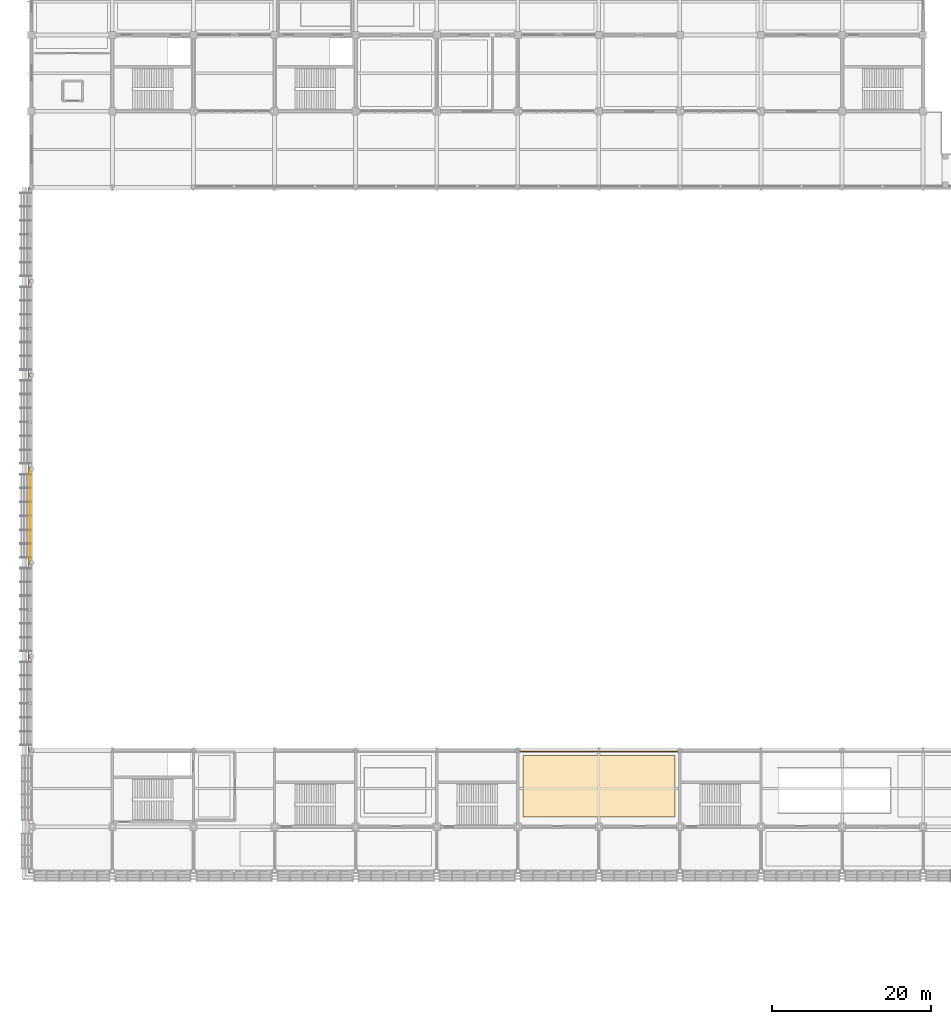
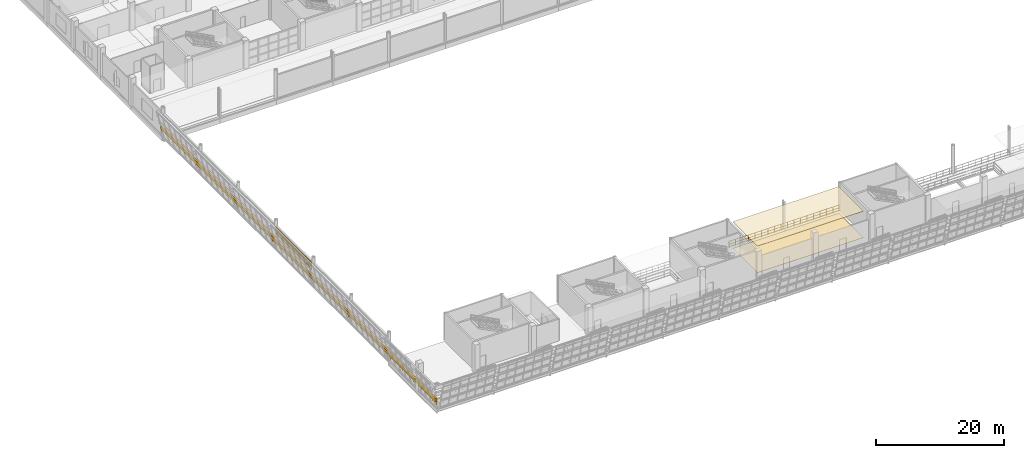
# One storey, part 154 of 175: 5 coverings, 2 railings.
"""IFC4 building model written with IfcOpenShell, lengths in metres."""

from ifc_helpers import new_model, si_unit, direction, frame, origin, origin_2d, place, context, subcontext, project, spatial, polyline, rectangle, circle, outline, extrude, material, layer, layer_set, type_object, element, save


model = new_model("IFC4")

# Units and contexts
model_context = context("Model", 3, precision=1e-05, world=origin(), true_north=direction((0.0, 1.0)))
body_context = subcontext(model_context, "Body", "Model", "MODEL_VIEW")
ifc_project = project(units=[si_unit("LENGTHUNIT", "METRE"), si_unit("AREAUNIT", "SQUARE_METRE"), si_unit("VOLUMEUNIT", "CUBIC_METRE"), si_unit("PLANEANGLEUNIT", "RADIAN"), si_unit("MASSUNIT", "GRAM", prefix="KILO")], contexts=[model_context])

# Site, building, storey
site_placement = place(None, origin())
site = spatial("IfcSite", under=ifc_project, at=site_placement, CompositionType="ELEMENT")
building_placement = place(site_placement, origin())
building = spatial("IfcBuilding", under=site, at=building_placement, Name="Brelvane Convention Centre", CompositionType="ELEMENT")
storey_placement = place(building_placement, frame((0.0, 0.0, 5.39990234375)))
storey = spatial("IfcBuildingStorey", under=building, at=storey_placement, Name="L01", CompositionType="ELEMENT", Elevation=5.39990234375)

# Coverings
ifc_material_1 = material(Name="Patinated Copper-Bronze Alloy C22000")
ifc_layer_1 = layer(ifc_material_1, 0.044921875)
ifc_layer_set_1 = layer_set([ifc_layer_1], Name="Patinated Copper-Bronze Alloy C22000")
covering_type_1 = type_object("IfcCoveringType", Name="Envelope Covering CL-CU1", PredefinedType="CLADDING", material=ifc_layer_set_1)
covering_1_placement = place(storey_placement, frame((0.0, 0.0, 3.77001953125)))
element("IfcCovering", 1, at=covering_1_placement, inside=storey, type_object=covering_type_1, Name="Copper-Bronze Hull Band L01-V1W-L01-3-1", PredefinedType="CLADDING", context=body_context, shape_type="SweptSolid", body=[
    extrude(outline(polyline([(-0.14111328125, 52.639892578125), (-0.14111328125, 63.9599609375), (-0.18603515625, 63.9599609375), (-0.18603515625, 52.639892578125), (-0.14111328125, 52.639892578125)])), origin(), (0.0, 0.0, 1.0), 0.380126953125),
])
ifc_material_2 = material(Name="Patinated Copper-Bronze Alloy C22000")
ifc_layer_2 = layer(ifc_material_2, 0.054931640625)
ifc_layer_set_2 = layer_set([ifc_layer_2], Name="Patinated Copper-Bronze Alloy C22000")
covering_type_2 = type_object("IfcCoveringType", Name="Envelope Covering CL-CU2", PredefinedType="CLADDING", material=ifc_layer_set_2)
covering_2_placement = place(storey_placement, frame((0.0, 0.0, 3.22021484375)))
element("IfcCovering", 2, at=covering_2_placement, inside=storey, type_object=covering_type_2, Name="Copper-Bronze Hull Band L01-V1W-L01-3-2", PredefinedType="CLADDING", context=body_context, shape_type="SweptSolid", body=[
    extrude(outline(polyline([(-0.14111328125, 52.639892578125), (-0.14111328125, 63.9599609375), (-0.196044921875, 63.9599609375), (-0.196044921875, 52.639892578125), (-0.14111328125, 52.639892578125)])), origin(), (0.0, 0.0, 1.0), 0.3798828125),
])
ifc_material_3 = material(Name="Patinated Copper-Bronze Alloy C22000")
ifc_layer_3 = layer(ifc_material_3, 0.06494140625)
ifc_layer_set_3 = layer_set([ifc_layer_3], Name="Patinated Copper-Bronze Alloy C22000")
covering_type_3 = type_object("IfcCoveringType", Name="Envelope Covering CL-CU3", PredefinedType="CLADDING", material=ifc_layer_set_3)
covering_3_placement = place(storey_placement, frame((0.0, 0.0, 2.670166015625)))
element("IfcCovering", 3, at=covering_3_placement, inside=storey, type_object=covering_type_3, Name="Copper-Bronze Hull Band L01-V1W-L01-3-3", PredefinedType="CLADDING", context=body_context, shape_type="SweptSolid", body=[
    extrude(outline(polyline([(-0.14111328125, 52.639892578125), (-0.14111328125, 63.9599609375), (-0.2060546875, 63.9599609375), (-0.2060546875, 52.639892578125), (-0.14111328125, 52.639892578125)])), origin(), (0.0, 0.0, 1.0), 0.3798828125),
])
ifc_material_4 = material(Name="Perforated Anodised Aluminium Alloy 6063 Acoustic Baffle", Category="aluminium")
ifc_layer_4 = layer(ifc_material_4, 0.090087890625)
ifc_layer_set_4 = layer_set([ifc_layer_4], Name="Perforated Anodised Aluminium Alloy 6063 Acoustic Baffle")
covering_type_4 = type_object("IfcCoveringType", Name="Interior Finish CL-BAF-90", PredefinedType="CEILING", material=ifc_layer_set_4)
covering_4_placement = place(storey_placement, frame((0.0, 0.0, 5.030029296875)))
element("IfcCovering", 4, at=covering_4_placement, inside=storey, type_object=covering_type_4, Name="Exhibition Overlook Gallery Central Acoustic Ceiling (CL-BAF-90)", PredefinedType="CEILING", context=body_context, shape_type="SweptSolid", body=[
    extrude(outline(polyline([(61.830078125, 20.429931640625), (80.969970703125, 20.429931640625), (80.969970703125, 28.169921875), (61.830078125, 28.169921875), (61.830078125, 20.429931640625)])), origin(), (0.0, 0.0, 1.0), 0.090087890625),
])
ifc_material_5 = material(Name="Heavy-Duty Quartz-Filled Industrial Epoxy Screed Grade A")
ifc_layer_5 = layer(ifc_material_5, 0.034912109375)
ifc_layer_set_5 = layer_set([ifc_layer_5], Name="Heavy-Duty Quartz-Filled Industrial Epoxy Screed Grade A")
covering_type_5 = type_object("IfcCoveringType", Name="Interior Finish FL-EPX-35", PredefinedType="FLOORING", material=ifc_layer_set_5)
covering_5_placement = place(storey_placement, origin())
element("IfcCovering", 5, at=covering_5_placement, inside=storey, type_object=covering_type_5, Name="Exhibition Overlook Gallery Central Floor Finish (FL-EPX-35)", PredefinedType="FLOORING", context=body_context, shape_type="SweptSolid", body=[
    extrude(outline(polyline([(61.830078125, 20.429931640625), (80.969970703125, 20.429931640625), (80.969970703125, 28.169921875), (61.830078125, 28.169921875), (61.830078125, 20.429931640625)])), origin(), (0.0, 0.0, 1.0), 0.03515625),
])

# Railings
ifc_material_6 = material(Name="Steel E350 (350 MPa)", Category="steel")
railing_type_1 = type_object("IfcRailingType", Name="Railing BL-ATR-1", PredefinedType="BALUSTRADE", material=ifc_material_6)
railing_1_placement = place(storey_placement, frame((61.39990234375, 28.679931640625, 0.0)))
element("IfcRailing", 6, at=railing_1_placement, inside=storey, type_object=railing_type_1, Name="Railing BL-ATR-1 L01-exh_overlook_l01_c", PredefinedType="BALUSTRADE", context=body_context, shape_type="SweptSolid", body=[
    extrude(circle(Radius=0.02392578125, at=origin_2d()), frame((0.0, 0.0, 1.15576171875), z_axis=(1.0, 0.0, 0.0), x_axis=(0.0, 1.0, 0.0)), (0.0, 0.0, 1.0), 20.0),
    extrude(circle(Radius=0.02392578125, at=origin_2d()), frame((0.0, 0.0, 0.613525390625), z_axis=(1.0, 0.0, 0.0), x_axis=(0.0, 1.0, 0.0)), (0.0, 0.0, 1.0), 20.0),
    extrude(circle(Radius=0.02392578125, at=origin_2d()), frame((0.0, 0.0, 0.139892578125), z_axis=(1.0, 0.0, 0.0), x_axis=(0.0, 1.0, 0.0)), (0.0, 0.0, 1.0), 20.0),
    extrude(circle(Radius=0.02099609375, at=origin_2d()), origin(), (0.0, 0.0, 1.0), 1.1318359375),
    extrude(circle(Radius=0.02099609375, at=origin_2d()), frame((1.176513671875, 0.0, 0.0)), (0.0, 0.0, 1.0), 1.1318359375),
    extrude(circle(Radius=0.02099609375, at=origin_2d()), frame((2.35302734375, 0.0, 0.0)), (0.0, 0.0, 1.0), 1.1318359375),
    extrude(circle(Radius=0.02099609375, at=origin_2d()), frame((3.529296875, 0.0, 0.0)), (0.0, 0.0, 1.0), 1.1318359375),
    extrude(circle(Radius=0.02099609375, at=origin_2d()), frame((4.705810546875, 0.0, 0.0)), (0.0, 0.0, 1.0), 1.1318359375),
    extrude(circle(Radius=0.02099609375, at=origin_2d()), frame((5.88232421875, 0.0, 0.0)), (0.0, 0.0, 1.0), 1.1318359375),
    extrude(circle(Radius=0.02099609375, at=origin_2d()), frame((7.058837890625, 0.0, 0.0)), (0.0, 0.0, 1.0), 1.1318359375),
    extrude(circle(Radius=0.02099609375, at=origin_2d()), frame((8.2353515625, 0.0, 0.0)), (0.0, 0.0, 1.0), 1.1318359375),
    extrude(circle(Radius=0.02099609375, at=origin_2d()), frame((9.411865234375, 0.0, 0.0)), (0.0, 0.0, 1.0), 1.1318359375),
    extrude(circle(Radius=0.02099609375, at=origin_2d()), frame((10.588134765625, 0.0, 0.0)), (0.0, 0.0, 1.0), 1.1318359375),
    extrude(circle(Radius=0.02099609375, at=origin_2d()), frame((11.7646484375, 0.0, 0.0)), (0.0, 0.0, 1.0), 1.1318359375),
    extrude(circle(Radius=0.02099609375, at=origin_2d()), frame((12.941162109375, 0.0, 0.0)), (0.0, 0.0, 1.0), 1.1318359375),
    extrude(circle(Radius=0.02099609375, at=origin_2d()), frame((14.11767578125, 0.0, 0.0)), (0.0, 0.0, 1.0), 1.1318359375),
    extrude(circle(Radius=0.02099609375, at=origin_2d()), frame((15.294189453125, 0.0, 0.0)), (0.0, 0.0, 1.0), 1.1318359375),
    extrude(circle(Radius=0.02099609375, at=origin_2d()), frame((16.470703125, 0.0, 0.0)), (0.0, 0.0, 1.0), 1.1318359375),
    extrude(circle(Radius=0.02099609375, at=origin_2d()), frame((17.64697265625, 0.0, 0.0)), (0.0, 0.0, 1.0), 1.1318359375),
    extrude(circle(Radius=0.02099609375, at=origin_2d()), frame((18.823486328125, 0.0, 0.0)), (0.0, 0.0, 1.0), 1.1318359375),
    extrude(circle(Radius=0.02099609375, at=origin_2d()), frame((20.0, 0.0, 0.0)), (0.0, 0.0, 1.0), 1.1318359375),
])
ifc_material_7 = material(Name="Steel E350 (350 MPa)", Category="steel")
railing_type_2 = type_object("IfcRailingType", Name="Railing BL-CU-1", PredefinedType="BALUSTRADE", material=ifc_material_7)
railing_2_placement = place(storey_placement, frame((-0.2880859375, 13.3720703125, 0.800048828125)))
element("IfcRailing", 7, at=railing_2_placement, inside=storey, type_object=railing_type_2, Name="Railing BL-CU-1 L01-cu_hull_w_1", PredefinedType="BALUSTRADE", context=body_context, shape_type="SweptSolid", body=[
    extrude(rectangle(XDim=0.280029296875, YDim=0.6201171875, at=origin_2d()), frame((0.0, 0.0, 0.81005859375), z_axis=(0.0, 1.0, 0.0), x_axis=(-1.0, 0.0, 0.0)), (0.0, 0.0, 1.0), 86.22802734375),
    extrude(circle(Radius=0.02099609375, at=origin_2d()), origin(), (0.0, 0.0, 1.0), 1.072021484375),
    extrude(circle(Radius=0.02099609375, at=origin_2d()), frame((0.0, 1.197509765625, 0.0)), (0.0, 0.0, 1.0), 1.072021484375),
    extrude(circle(Radius=0.02099609375, at=origin_2d()), frame((0.0, 2.395263671875, 0.0)), (0.0, 0.0, 1.0), 1.072021484375),
    extrude(circle(Radius=0.02099609375, at=origin_2d()), frame((0.0, 3.5927734375, 0.0)), (0.0, 0.0, 1.0), 1.072021484375),
    extrude(circle(Radius=0.02099609375, at=origin_2d()), frame((0.0, 4.79052734375, 0.0)), (0.0, 0.0, 1.0), 1.072021484375),
    extrude(circle(Radius=0.02099609375, at=origin_2d()), frame((0.0, 5.988037109375, 0.0)), (0.0, 0.0, 1.0), 1.072021484375),
    extrude(circle(Radius=0.02099609375, at=origin_2d()), frame((0.0, 7.185546875, 0.0)), (0.0, 0.0, 1.0), 1.072021484375),
    extrude(circle(Radius=0.02099609375, at=origin_2d()), frame((0.0, 8.38330078125, 0.0)), (0.0, 0.0, 1.0), 1.072021484375),
    extrude(circle(Radius=0.02099609375, at=origin_2d()), frame((0.0, 9.580810546875, 0.0)), (0.0, 0.0, 1.0), 1.072021484375),
    extrude(circle(Radius=0.02099609375, at=origin_2d()), frame((0.0, 10.778564453125, 0.0)), (0.0, 0.0, 1.0), 1.072021484375),
    extrude(circle(Radius=0.02099609375, at=origin_2d()), frame((0.0, 11.97607421875, 0.0)), (0.0, 0.0, 1.0), 1.072021484375),
    extrude(circle(Radius=0.02099609375, at=origin_2d()), frame((0.0, 13.173828125, 0.0)), (0.0, 0.0, 1.0), 1.072021484375),
    extrude(circle(Radius=0.02099609375, at=origin_2d()), frame((0.0, 14.371337890625, 0.0)), (0.0, 0.0, 1.0), 1.072021484375),
    extrude(circle(Radius=0.02099609375, at=origin_2d()), frame((0.0, 15.56884765625, 0.0)), (0.0, 0.0, 1.0), 1.072021484375),
    extrude(circle(Radius=0.02099609375, at=origin_2d()), frame((0.0, 16.7666015625, 0.0)), (0.0, 0.0, 1.0), 1.072021484375),
    extrude(circle(Radius=0.02099609375, at=origin_2d()), frame((0.0, 17.964111328125, 0.0)), (0.0, 0.0, 1.0), 1.072021484375),
    extrude(circle(Radius=0.02099609375, at=origin_2d()), frame((0.0, 19.161865234375, 0.0)), (0.0, 0.0, 1.0), 1.072021484375),
    extrude(circle(Radius=0.02099609375, at=origin_2d()), frame((0.0, 20.359375, 0.0)), (0.0, 0.0, 1.0), 1.072021484375),
    extrude(circle(Radius=0.02099609375, at=origin_2d()), frame((0.0, 21.55712890625, 0.0)), (0.0, 0.0, 1.0), 1.072021484375),
    extrude(circle(Radius=0.02099609375, at=origin_2d()), frame((0.0, 22.754638671875, 0.0)), (0.0, 0.0, 1.0), 1.072021484375),
    extrude(circle(Radius=0.02099609375, at=origin_2d()), frame((0.0, 23.9521484375, 0.0)), (0.0, 0.0, 1.0), 1.072021484375),
    extrude(circle(Radius=0.02099609375, at=origin_2d()), frame((0.0, 25.14990234375, 0.0)), (0.0, 0.0, 1.0), 1.072021484375),
    extrude(circle(Radius=0.02099609375, at=origin_2d()), frame((0.0, 26.347412109375, 0.0)), (0.0, 0.0, 1.0), 1.072021484375),
    extrude(circle(Radius=0.02099609375, at=origin_2d()), frame((0.0, 27.545166015625, 0.0)), (0.0, 0.0, 1.0), 1.072021484375),
    extrude(circle(Radius=0.02099609375, at=origin_2d()), frame((0.0, 28.74267578125, 0.0)), (0.0, 0.0, 1.0), 1.072021484375),
    extrude(circle(Radius=0.02099609375, at=origin_2d()), frame((0.0, 29.940185546875, 0.0)), (0.0, 0.0, 1.0), 1.072021484375),
    extrude(circle(Radius=0.02099609375, at=origin_2d()), frame((0.0, 31.137939453125, 0.0)), (0.0, 0.0, 1.0), 1.072021484375),
    extrude(circle(Radius=0.02099609375, at=origin_2d()), frame((0.0, 32.33544921875, 0.0)), (0.0, 0.0, 1.0), 1.072021484375),
    extrude(circle(Radius=0.02099609375, at=origin_2d()), frame((0.0, 33.533203125, 0.0)), (0.0, 0.0, 1.0), 1.072021484375),
    extrude(circle(Radius=0.02099609375, at=origin_2d()), frame((0.0, 34.730712890625, 0.0)), (0.0, 0.0, 1.0), 1.072021484375),
    extrude(circle(Radius=0.02099609375, at=origin_2d()), frame((0.0, 35.92822265625, 0.0)), (0.0, 0.0, 1.0), 1.072021484375),
    extrude(circle(Radius=0.02099609375, at=origin_2d()), frame((0.0, 37.1259765625, 0.0)), (0.0, 0.0, 1.0), 1.072021484375),
    extrude(circle(Radius=0.02099609375, at=origin_2d()), frame((0.0, 38.323486328125, 0.0)), (0.0, 0.0, 1.0), 1.072021484375),
    extrude(circle(Radius=0.02099609375, at=origin_2d()), frame((0.0, 39.521240234375, 0.0)), (0.0, 0.0, 1.0), 1.072021484375),
    extrude(circle(Radius=0.02099609375, at=origin_2d()), frame((0.0, 40.71875, 0.0)), (0.0, 0.0, 1.0), 1.072021484375),
    extrude(circle(Radius=0.02099609375, at=origin_2d()), frame((0.0, 41.91650390625, 0.0)), (0.0, 0.0, 1.0), 1.072021484375),
    extrude(circle(Radius=0.02099609375, at=origin_2d()), frame((0.0, 43.114013671875, 0.0)), (0.0, 0.0, 1.0), 1.072021484375),
    extrude(circle(Radius=0.02099609375, at=origin_2d()), frame((0.0, 44.3115234375, 0.0)), (0.0, 0.0, 1.0), 1.072021484375),
    extrude(circle(Radius=0.02099609375, at=origin_2d()), frame((0.0, 45.50927734375, 0.0)), (0.0, 0.0, 1.0), 1.072021484375),
    extrude(circle(Radius=0.02099609375, at=origin_2d()), frame((0.0, 46.706787109375, 0.0)), (0.0, 0.0, 1.0), 1.072021484375),
    extrude(circle(Radius=0.02099609375, at=origin_2d()), frame((0.0, 47.904541015625, 0.0)), (0.0, 0.0, 1.0), 1.072021484375),
    extrude(circle(Radius=0.02099609375, at=origin_2d()), frame((0.0, 49.10205078125, 0.0)), (0.0, 0.0, 1.0), 1.072021484375),
    extrude(circle(Radius=0.02099609375, at=origin_2d()), frame((0.0, 50.2998046875, 0.0)), (0.0, 0.0, 1.0), 1.072021484375),
    extrude(circle(Radius=0.02099609375, at=origin_2d()), frame((0.0, 51.497314453125, 0.0)), (0.0, 0.0, 1.0), 1.072021484375),
    extrude(circle(Radius=0.02099609375, at=origin_2d()), frame((0.0, 52.69482421875, 0.0)), (0.0, 0.0, 1.0), 1.072021484375),
    extrude(circle(Radius=0.02099609375, at=origin_2d()), frame((0.0, 53.892578125, 0.0)), (0.0, 0.0, 1.0), 1.072021484375),
    extrude(circle(Radius=0.02099609375, at=origin_2d()), frame((0.0, 55.090087890625, 0.0)), (0.0, 0.0, 1.0), 1.072021484375),
    extrude(circle(Radius=0.02099609375, at=origin_2d()), frame((0.0, 56.287841796875, 0.0)), (0.0, 0.0, 1.0), 1.072021484375),
    extrude(circle(Radius=0.02099609375, at=origin_2d()), frame((0.0, 57.4853515625, 0.0)), (0.0, 0.0, 1.0), 1.072021484375),
    extrude(circle(Radius=0.02099609375, at=origin_2d()), frame((0.0, 58.682861328125, 0.0)), (0.0, 0.0, 1.0), 1.072021484375),
    extrude(circle(Radius=0.02099609375, at=origin_2d()), frame((0.0, 59.880615234375, 0.0)), (0.0, 0.0, 1.0), 1.072021484375),
    extrude(circle(Radius=0.02099609375, at=origin_2d()), frame((0.0, 61.078125, 0.0)), (0.0, 0.0, 1.0), 1.072021484375),
    extrude(circle(Radius=0.02099609375, at=origin_2d()), frame((0.0, 62.27587890625, 0.0)), (0.0, 0.0, 1.0), 1.072021484375),
    extrude(circle(Radius=0.02099609375, at=origin_2d()), frame((0.0, 63.473388671875, 0.0)), (0.0, 0.0, 1.0), 1.072021484375),
    extrude(circle(Radius=0.02099609375, at=origin_2d()), frame((0.0, 64.6708984375, 0.0)), (0.0, 0.0, 1.0), 1.072021484375),
    extrude(circle(Radius=0.02099609375, at=origin_2d()), frame((0.0, 65.86865234375, 0.0)), (0.0, 0.0, 1.0), 1.072021484375),
    extrude(circle(Radius=0.02099609375, at=origin_2d()), frame((0.0, 67.066162109375, 0.0)), (0.0, 0.0, 1.0), 1.072021484375),
    extrude(circle(Radius=0.02099609375, at=origin_2d()), frame((0.0, 68.263916015625, 0.0)), (0.0, 0.0, 1.0), 1.072021484375),
    extrude(circle(Radius=0.02099609375, at=origin_2d()), frame((0.0, 69.46142578125, 0.0)), (0.0, 0.0, 1.0), 1.072021484375),
    extrude(circle(Radius=0.02099609375, at=origin_2d()), frame((0.0, 70.6591796875, 0.0)), (0.0, 0.0, 1.0), 1.072021484375),
    extrude(circle(Radius=0.02099609375, at=origin_2d()), frame((0.0, 71.856689453125, 0.0)), (0.0, 0.0, 1.0), 1.072021484375),
    extrude(circle(Radius=0.02099609375, at=origin_2d()), frame((0.0, 73.05419921875, 0.0)), (0.0, 0.0, 1.0), 1.072021484375),
    extrude(circle(Radius=0.02099609375, at=origin_2d()), frame((0.0, 74.251953125, 0.0)), (0.0, 0.0, 1.0), 1.072021484375),
    extrude(circle(Radius=0.02099609375, at=origin_2d()), frame((0.0, 75.449462890625, 0.0)), (0.0, 0.0, 1.0), 1.072021484375),
    extrude(circle(Radius=0.02099609375, at=origin_2d()), frame((0.0, 76.647216796875, 0.0)), (0.0, 0.0, 1.0), 1.072021484375),
    extrude(circle(Radius=0.02099609375, at=origin_2d()), frame((0.0, 77.8447265625, 0.0)), (0.0, 0.0, 1.0), 1.072021484375),
    extrude(circle(Radius=0.02099609375, at=origin_2d()), frame((0.0, 79.04248046875, 0.0)), (0.0, 0.0, 1.0), 1.072021484375),
    extrude(circle(Radius=0.02099609375, at=origin_2d()), frame((0.0, 80.239990234375, 0.0)), (0.0, 0.0, 1.0), 1.072021484375),
    extrude(circle(Radius=0.02099609375, at=origin_2d()), frame((0.0, 81.4375, 0.0)), (0.0, 0.0, 1.0), 1.072021484375),
    extrude(circle(Radius=0.02099609375, at=origin_2d()), frame((0.0, 82.63525390625, 0.0)), (0.0, 0.0, 1.0), 1.072021484375),
    extrude(circle(Radius=0.02099609375, at=origin_2d()), frame((0.0, 83.832763671875, 0.0)), (0.0, 0.0, 1.0), 1.072021484375),
    extrude(circle(Radius=0.02099609375, at=origin_2d()), frame((0.0, 85.030517578125, 0.0)), (0.0, 0.0, 1.0), 1.072021484375),
    extrude(circle(Radius=0.02099609375, at=origin_2d()), frame((0.0, 86.22802734375, 0.0)), (0.0, 0.0, 1.0), 1.072021484375),
])

save(model, "model.ifc")
